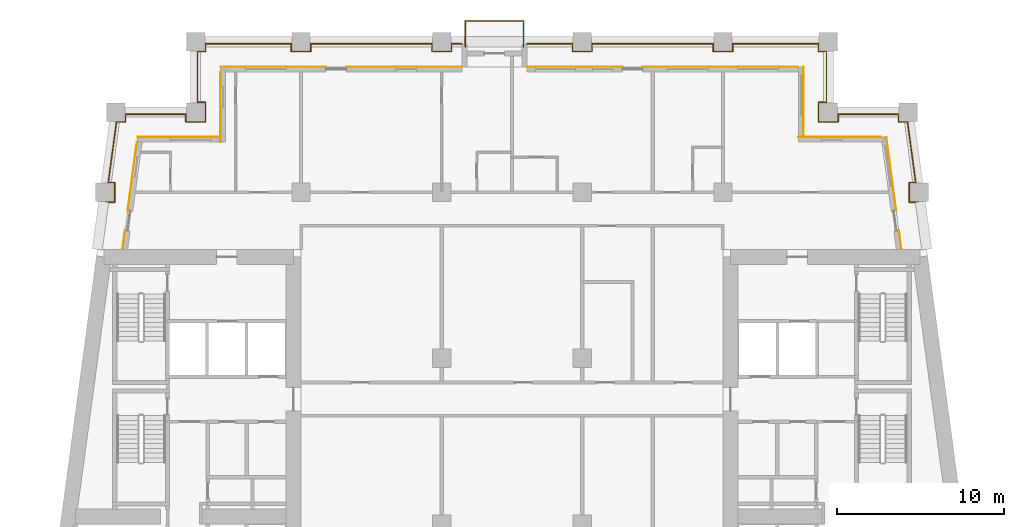
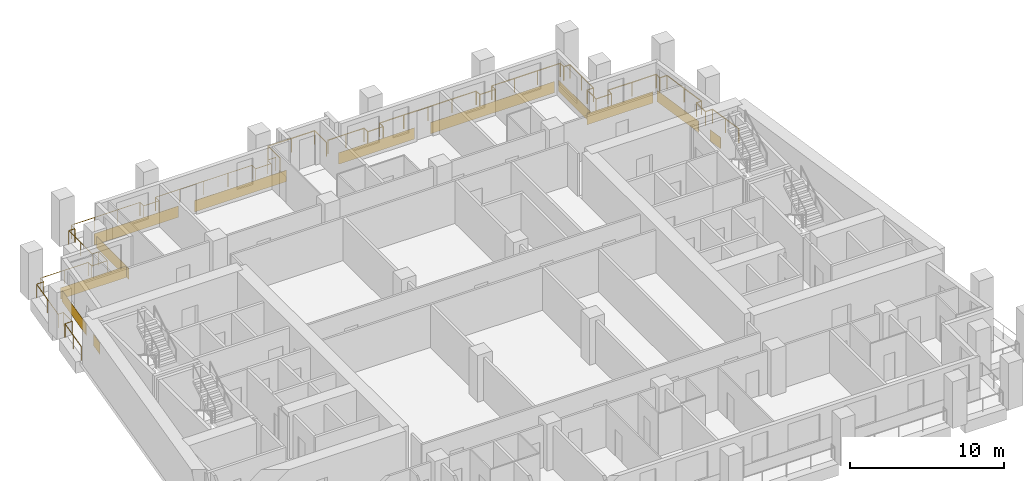
# One storey, part 12 of 13: 12 coverings, 3 railings.
"""IFC4 building model written with IfcOpenShell, lengths in metres."""

import ifcopenshell
import ifcopenshell.guid

model = None  # the IFC model being written
_history = None  # IfcOwnerHistory: only IFC2X3 demands one
_inside = {}  # id of a spatial element -> (the spatial element, [elements in it])
_under = {}  # id of a project, library or spatial element -> (it, [spatial elements below it])
_declared = {}  # id of a project -> (the project, [libraries it declares])
_typed = {}  # id of a type object -> (the type object, [elements of that type])
_made_of = {}  # id of a material, layer set ... -> (it, [elements and type objects made of it])


def new_model(schema):
    """Start an empty IFC model of exactly this schema.

    Asked for "IFC4X3", IfcOpenShell would pick the latest addendum, in which some entities
    have other attributes; the version numbers below select the first issue.
    IFC2X3 requires an IfcOwnerHistory on every rooted entity: one is made here for all.
    """
    global model, _history
    if schema == "IFC4X3":
        model = ifcopenshell.file(schema_version=(4, 3, 0, 0))
    else:
        model = ifcopenshell.file(schema=schema)
    _inside.clear()
    _under.clear()
    _declared.clear()
    _typed.clear()
    _made_of.clear()
    _history = None
    if model.schema == "IFC2X3":
        org = make("IfcOrganization", Name="unknown")
        user = make(
            "IfcPersonAndOrganization",
            ThePerson=make("IfcPerson", FamilyName="unknown"),
            TheOrganization=org,
        )
        app = make(
            "IfcApplication",
            ApplicationDeveloper=org,
            Version="unknown",
            ApplicationFullName="unknown",
            ApplicationIdentifier="unknown",
        )
        _history = make(
            "IfcOwnerHistory",
            OwningUser=user,
            OwningApplication=app,
            ChangeAction="ADDED",
            CreationDate=0,
        )
    return model


def make(cls, **values):
    """One entity of the class cls with the attributes given. An attribute that is None is left unset."""
    return model.create_entity(
        cls, **{name: value for name, value in values.items() if value is not None}
    )


def rooted(cls, **values):
    """An entity with a GlobalId (a new one), such as an element, a storey or a relation."""
    return make(cls, GlobalId=ifcopenshell.guid.new(), OwnerHistory=_history, **values)


def si_unit(unit_type, name, prefix=None):
    """IfcSIUnit, for example si_unit("LENGTHUNIT", "METRE", prefix="MILLI")."""
    return make("IfcSIUnit", UnitType=unit_type, Prefix=prefix, Name=name)


def assignment(units):
    """IfcUnitAssignment: the units of a project."""
    return None if units is None else make("IfcUnitAssignment", Units=units)


def point(xyz):
    """IfcCartesianPoint."""
    return None if xyz is None else make("IfcCartesianPoint", Coordinates=xyz)


def direction(xyz):
    """IfcDirection."""
    return None if xyz is None else make("IfcDirection", DirectionRatios=xyz)


def frame(location, z_axis=None, x_axis=None):
    """IfcAxis2Placement3D, a coordinate frame: its origin and axes. An axis left out is left unset."""
    return make(
        "IfcAxis2Placement3D",
        Location=point(location),
        Axis=direction(z_axis),
        RefDirection=direction(x_axis),
    )


def frame_2d(location, x_axis=None):
    """IfcAxis2Placement2D, a coordinate frame in the plane: its origin and x axis."""
    return make(
        "IfcAxis2Placement2D", Location=point(location), RefDirection=direction(x_axis)
    )


def origin():
    """The frame at (0, 0, 0) with its axes left unset."""
    return frame((0.0, 0.0, 0.0))


def origin_2d():
    """The frame at (0, 0) in the plane with its x axis left unset."""
    return frame_2d((0.0, 0.0))


def place(relative_to, where):
    """IfcLocalPlacement: puts the frame where relative to a parent placement (None: the world)."""
    return make(
        "IfcLocalPlacement", PlacementRelTo=relative_to, RelativePlacement=where
    )


def context(
    kind, dimensions, precision=None, world=None, true_north=None, identifier=None
):
    """IfcGeometricRepresentationContext, for example the 3D "Model" context."""
    return make(
        "IfcGeometricRepresentationContext",
        ContextIdentifier=identifier,
        ContextType=kind,
        CoordinateSpaceDimension=dimensions,
        Precision=precision,
        WorldCoordinateSystem=world,
        TrueNorth=true_north,
    )


def subcontext(parent, identifier, kind, view, scale=None):
    """IfcGeometricRepresentationSubContext, for example "Body" below "Model"."""
    return make(
        "IfcGeometricRepresentationSubContext",
        ContextIdentifier=identifier,
        ContextType=kind,
        ParentContext=parent,
        TargetScale=scale,
        TargetView=view,
    )


def project(units=None, contexts=None):
    """IfcProject with its units and contexts."""
    return rooted(
        "IfcProject",
        Name="project",
        RepresentationContexts=contexts,
        UnitsInContext=assignment(units),
    )


def spatial(cls, under=None, at=None, **own):
    """A site, building, storey or space (cls), placed at a placement, below another one or the project."""
    s = rooted(cls, ObjectPlacement=at, **own)
    if under is not None:
        _under.setdefault(under.id(), (under, []))[1].append(s)
    return s


def profile(cls, at=None, kind="AREA", **sizes):
    """A parametric profile (cls). Its sizes go by their IFC names, for example OverallWidth=200.0."""
    return make(cls, ProfileType=kind, Position=at, **sizes)


def rectangle(**sizes):
    """IfcRectangleProfileDef."""
    return profile("IfcRectangleProfileDef", **sizes)


def circle(**sizes):
    """IfcCircleProfileDef."""
    return profile("IfcCircleProfileDef", **sizes)


def extrude(swept, where, along, depth):
    """IfcExtrudedAreaSolid: the profile swept, set in the frame where, extruded along a direction by depth."""
    return make(
        "IfcExtrudedAreaSolid",
        SweptArea=swept,
        Position=where,
        ExtrudedDirection=direction(along),
        Depth=depth,
    )


def shape(context_of_items, identifier, shape_type, items):
    """IfcShapeRepresentation: the items that make up one representation, for example the "Body"."""
    return make(
        "IfcShapeRepresentation",
        ContextOfItems=context_of_items,
        RepresentationIdentifier=identifier,
        RepresentationType=shape_type,
        Items=items,
    )


def material(Name=None, Category=None):
    """IfcMaterial."""
    return make("IfcMaterial", Name=Name, Category=Category)


def layer(
    of_material, thickness, ventilated=None, Name=None, Category=None, Priority=None
):
    """IfcMaterialLayer: one layer of a wall or slab, of a material (None: an air gap)."""
    return make(
        "IfcMaterialLayer",
        Material=of_material,
        LayerThickness=thickness,
        IsVentilated=ventilated,
        Name=Name,
        Category=Category,
        Priority=Priority,
    )


def layer_set(layers, Name=None):
    """IfcMaterialLayerSet."""
    return make("IfcMaterialLayerSet", MaterialLayers=layers, LayerSetName=Name)


def made_of(thing, what):
    """Note that an element or type object is made of a material, layer set ...; save() writes the relation."""
    if what is not None:
        _made_of.setdefault(what.id(), (what, []))[1].append(thing)
    return thing


def type_object(cls, material=None, **own):
    """A type object (cls), such as IfcWallType, which elements share."""
    return made_of(rooted(cls, **own), material)


def element(
    cls,
    number,
    at=None,
    inside=None,
    cuts=None,
    type_object=None,
    material=None,
    context=None,
    identifier="Body",
    shape_type=None,
    held_by="IfcProductDefinitionShape",
    body=None,
    shapes=None,
    **own,
):
    """One element of the class cls, such as IfcWall. Its Tag is "e" and its number.

    at: its placement. inside: the storey or other place that contains it. cuts: it is an
    opening in that element (IfcRelVoidsElement). A single representation is given by context,
    identifier, shape_type and body (its items); several are given by shapes. held_by: the class
    of the entity that holds the representations. save() writes the other relations.
    """
    e = rooted(cls, Tag="e%d" % number, ObjectPlacement=at, **own)
    if body is not None:
        shapes = [shape(context, identifier, shape_type, body)]
    if shapes is not None:
        e.Representation = make(held_by, Representations=shapes)
    if inside is not None:
        _inside.setdefault(inside.id(), (inside, []))[1].append(e)
    if cuts is not None:
        rooted(
            "IfcRelVoidsElement", RelatingBuildingElement=cuts, RelatedOpeningElement=e
        )
    if type_object is not None:
        _typed.setdefault(type_object.id(), (type_object, []))[1].append(e)
    return made_of(e, material)


def aggregate(whole, parts):
    """IfcRelAggregates: a whole, such as a stair, and the parts it consists of."""
    return rooted("IfcRelAggregates", RelatingObject=whole, RelatedObjects=parts)


def save(model, path):
    """Write the relations noted so far, then the file.

    IfcRelAggregates (storeys below a building ...), IfcRelContainedInSpatialStructure (elements
    in a storey), IfcRelDefinesByType, IfcRelAssociatesMaterial and IfcRelDeclares: one each for
    every whole, place, type object, material and project.
    """
    for whole, parts in _under.values():
        aggregate(whole, parts)
    for where, things in _inside.values():
        rooted(
            "IfcRelContainedInSpatialStructure",
            RelatedElements=things,
            RelatingStructure=where,
        )
    for kind, things in _typed.values():
        rooted("IfcRelDefinesByType", RelatedObjects=things, RelatingType=kind)
    for what, things in _made_of.values():
        rooted("IfcRelAssociatesMaterial", RelatedObjects=things, RelatingMaterial=what)
    for by, libraries in _declared.values():
        rooted("IfcRelDeclares", RelatingContext=by, RelatedDefinitions=libraries)
    model.write(path)


model = new_model("IFC4")

# Units and contexts
model_context = context("Model", 3, precision=1e-05, world=origin(), true_north=direction((0.0, 1.0)))
body_context = subcontext(model_context, "Body", "Model", "MODEL_VIEW")
ifc_project = project(units=[si_unit("LENGTHUNIT", "METRE"), si_unit("AREAUNIT", "SQUARE_METRE"), si_unit("VOLUMEUNIT", "CUBIC_METRE"), si_unit("PLANEANGLEUNIT", "RADIAN"), si_unit("MASSUNIT", "GRAM", prefix="KILO")], contexts=[model_context])

# Site, building, storey
site_placement = place(None, origin())
site = spatial("IfcSite", under=ifc_project, at=site_placement, CompositionType="ELEMENT")
building_placement = place(site_placement, origin())
building = spatial("IfcBuilding", under=site, at=building_placement, Name="Candeia Pilgrim Tower and Theatre", CompositionType="ELEMENT")
storey_placement = place(building_placement, frame((0.0, 0.0, 155.199951171875)))
storey = spatial("IfcBuildingStorey", under=building, at=storey_placement, Name="L36", CompositionType="ELEMENT", Elevation=155.199951171875)

# Railings
ifc_material_1 = material(Name="Stainless steel balustrade", Category="steel")
railing_type = type_object("IfcRailingType", Name="G1 loggia guard 1100", PredefinedType="GUARDRAIL", material=ifc_material_1)
railing_1_placement = place(storey_placement, frame((88.758544921875, 132.449951171875, 0.0)))
element("IfcRailing", 1, at=railing_1_placement, inside=storey, type_object=railing_type, Name="Guard L36.2", PredefinedType="GUARDRAIL", context=body_context, shape_type="SweptSolid", body=[
    extrude(circle(Radius=0.02392578125, at=origin_2d()), frame((0.0, 0.0, 1.076171875), z_axis=(0.133382313969, 0.991064659001, 0.0), x_axis=(-0.991064659001, 0.133382313969, 0.0)), (0.0, 0.0, 1.0), 2.794921875),
    extrude(circle(Radius=0.02392578125, at=origin_2d()), frame((0.372802734375, 2.77001953125, 1.076171875), z_axis=(1.0, 0.0, 0.0), x_axis=(0.0, 1.0, 0.0)), (0.0, 0.0, 1.0), 0.537109375),
    extrude(circle(Radius=0.02392578125, at=origin_2d()), frame((0.909912109375, 2.77001953125, 1.076171875), z_axis=(0.0, 1.0, 0.0), x_axis=(-1.0, 0.0, 0.0)), (0.0, 0.0, 1.0), 1.159912109375),
    extrude(circle(Radius=0.02392578125, at=origin_2d()), frame((0.909912109375, 3.929931640625, 1.076171875), z_axis=(-1.0, 0.0, 0.0), x_axis=(0.0, -1.0, 0.0)), (0.0, 0.0, 1.0), 0.380859375),
    extrude(circle(Radius=0.02392578125, at=origin_2d()), frame((0.529052734375, 3.929931640625, 1.076171875), z_axis=(0.133404479078, 0.99106167566, 0.0), x_axis=(-0.99106167566, 0.133404479078, 0.0)), (0.0, 0.0, 1.0), 3.6728515625),
    extrude(circle(Radius=0.02392578125, at=origin_2d()), frame((1.01904296875, 7.570068359375, 1.076171875), z_axis=(1.0, 0.0, 0.0), x_axis=(0.0, 1.0, 0.0)), (0.0, 0.0, 1.0), 0.537109375),
    extrude(circle(Radius=0.02392578125, at=origin_2d()), frame((1.55615234375, 7.570068359375, 1.076171875), z_axis=(0.0, 1.0, 0.0), x_axis=(-1.0, 0.0, 0.0)), (0.0, 0.0, 1.0), 0.4599609375),
    extrude(circle(Radius=0.02392578125, at=origin_2d()), frame((1.55615234375, 8.030029296875, 1.076171875), z_axis=(1.0, 0.0, 0.0), x_axis=(0.0, 1.0, 0.0)), (0.0, 0.0, 1.0), 3.605224609375),
    extrude(circle(Radius=0.02392578125, at=origin_2d()), frame((5.161376953125, 8.030029296875, 1.076171875), z_axis=(0.0, -1.0, 0.0), x_axis=(1.0, 0.0, 0.0)), (0.0, 0.0, 1.0), 0.4599609375),
    extrude(circle(Radius=0.02392578125, at=origin_2d()), frame((5.161376953125, 7.570068359375, 1.076171875), z_axis=(1.0, 0.0, 0.0), x_axis=(0.0, 1.0, 0.0)), (0.0, 0.0, 1.0), 1.16015625),
    extrude(circle(Radius=0.02392578125, at=origin_2d()), frame((6.321533203125, 7.570068359375, 1.076171875), z_axis=(0.0, 1.0, 0.0), x_axis=(-1.0, 0.0, 0.0)), (0.0, 0.0, 1.0), 1.159912109375),
    extrude(circle(Radius=0.02392578125, at=origin_2d()), frame((6.321533203125, 8.72998046875, 1.076171875), z_axis=(-1.0, 0.0, 0.0), x_axis=(0.0, -1.0, 0.0)), (0.0, 0.0, 1.0), 0.4599609375),
    extrude(circle(Radius=0.02392578125, at=origin_2d()), frame((5.861572265625, 8.72998046875, 1.076171875), z_axis=(0.0, 1.0, 0.0), x_axis=(-1.0, 0.0, 0.0)), (0.0, 0.0, 1.0), 3.0400390625),
    extrude(circle(Radius=0.02392578125, at=origin_2d()), frame((5.861572265625, 11.77001953125, 1.076171875), z_axis=(1.0, 0.0, 0.0), x_axis=(0.0, 1.0, 0.0)), (0.0, 0.0, 1.0), 0.4599609375),
    extrude(circle(Radius=0.02392578125, at=origin_2d()), frame((6.321533203125, 11.77001953125, 1.076171875), z_axis=(0.0, 1.0, 0.0), x_axis=(-1.0, 0.0, 0.0)), (0.0, 0.0, 1.0), 0.4599609375),
    extrude(circle(Radius=0.02392578125, at=origin_2d()), frame((6.321533203125, 12.22998046875, 1.076171875), z_axis=(1.0, 0.0, 0.0), x_axis=(0.0, 1.0, 0.0)), (0.0, 0.0, 1.0), 5.139892578125),
    extrude(circle(Radius=0.02392578125, at=origin_2d()), frame((11.46142578125, 12.22998046875, 1.076171875), z_axis=(0.0, -1.0, 0.0), x_axis=(1.0, 0.0, 0.0)), (0.0, 0.0, 1.0), 0.4599609375),
    extrude(circle(Radius=0.02392578125, at=origin_2d()), frame((11.46142578125, 11.77001953125, 1.076171875), z_axis=(1.0, 0.0, 0.0), x_axis=(0.0, 1.0, 0.0)), (0.0, 0.0, 1.0), 1.159912109375),
    extrude(circle(Radius=0.02392578125, at=origin_2d()), frame((12.621337890625, 11.77001953125, 1.076171875), z_axis=(0.0, 1.0, 0.0), x_axis=(-1.0, 0.0, 0.0)), (0.0, 0.0, 1.0), 0.4599609375),
    extrude(circle(Radius=0.02392578125, at=origin_2d()), frame((12.621337890625, 12.22998046875, 1.076171875), z_axis=(1.0, 0.0, 0.0), x_axis=(0.0, 1.0, 0.0)), (0.0, 0.0, 1.0), 7.240234375),
    extrude(circle(Radius=0.02392578125, at=origin_2d()), frame((19.861572265625, 12.22998046875, 1.076171875), z_axis=(0.0, -1.0, 0.0), x_axis=(1.0, 0.0, 0.0)), (0.0, 0.0, 1.0), 0.4599609375),
    extrude(circle(Radius=0.02392578125, at=origin_2d()), frame((19.861572265625, 11.77001953125, 1.076171875), z_axis=(1.0, 0.0, 0.0), x_axis=(0.0, 1.0, 0.0)), (0.0, 0.0, 1.0), 1.159912109375),
    extrude(circle(Radius=0.02392578125, at=origin_2d()), frame((21.021484375, 11.77001953125, 1.076171875), z_axis=(0.0, 1.0, 0.0), x_axis=(-1.0, 0.0, 0.0)), (0.0, 0.0, 1.0), 0.4599609375),
    extrude(circle(Radius=0.02392578125, at=origin_2d()), frame((21.021484375, 12.22998046875, 1.076171875), z_axis=(1.0, 0.0, 0.0), x_axis=(0.0, 1.0, 0.0)), (0.0, 0.0, 1.0), 0.619873046875),
    extrude(circle(Radius=0.02099609375, at=origin_2d()), origin(), (0.0, 0.0, 1.0), 1.052001953125),
    extrude(circle(Radius=0.02099609375, at=origin_2d()), frame((0.1865234375, 1.385009765625, 0.0)), (0.0, 0.0, 1.0), 1.052001953125),
    extrude(circle(Radius=0.02099609375, at=origin_2d()), frame((0.372802734375, 2.77001953125, 0.0)), (0.0, 0.0, 1.0), 1.052001953125),
    extrude(circle(Radius=0.02099609375, at=origin_2d()), frame((0.909912109375, 2.77001953125, 0.0)), (0.0, 0.0, 1.0), 1.052001953125),
    extrude(circle(Radius=0.02099609375, at=origin_2d()), frame((0.909912109375, 3.929931640625, 0.0)), (0.0, 0.0, 1.0), 1.052001953125),
    extrude(circle(Radius=0.02099609375, at=origin_2d()), frame((0.529052734375, 3.929931640625, 0.0)), (0.0, 0.0, 1.0), 1.052001953125),
    extrude(circle(Radius=0.02099609375, at=origin_2d()), frame((0.77392578125, 5.75, 0.0)), (0.0, 0.0, 1.0), 1.052001953125),
    extrude(circle(Radius=0.02099609375, at=origin_2d()), frame((1.01904296875, 7.570068359375, 0.0)), (0.0, 0.0, 1.0), 1.052001953125),
    extrude(circle(Radius=0.02099609375, at=origin_2d()), frame((1.55615234375, 7.570068359375, 0.0)), (0.0, 0.0, 1.0), 1.052001953125),
    extrude(circle(Radius=0.02099609375, at=origin_2d()), frame((1.55615234375, 8.030029296875, 0.0)), (0.0, 0.0, 1.0), 1.052001953125),
    extrude(circle(Radius=0.02099609375, at=origin_2d()), frame((3.35888671875, 8.030029296875, 0.0)), (0.0, 0.0, 1.0), 1.052001953125),
    extrude(circle(Radius=0.02099609375, at=origin_2d()), frame((5.161376953125, 8.030029296875, 0.0)), (0.0, 0.0, 1.0), 1.052001953125),
    extrude(circle(Radius=0.02099609375, at=origin_2d()), frame((5.161376953125, 7.570068359375, 0.0)), (0.0, 0.0, 1.0), 1.052001953125),
    extrude(circle(Radius=0.02099609375, at=origin_2d()), frame((6.321533203125, 7.570068359375, 0.0)), (0.0, 0.0, 1.0), 1.052001953125),
    extrude(circle(Radius=0.02099609375, at=origin_2d()), frame((6.321533203125, 8.72998046875, 0.0)), (0.0, 0.0, 1.0), 1.052001953125),
    extrude(circle(Radius=0.02099609375, at=origin_2d()), frame((5.861572265625, 8.72998046875, 0.0)), (0.0, 0.0, 1.0), 1.052001953125),
    extrude(circle(Radius=0.02099609375, at=origin_2d()), frame((5.861572265625, 10.25, 0.0)), (0.0, 0.0, 1.0), 1.052001953125),
    extrude(circle(Radius=0.02099609375, at=origin_2d()), frame((5.861572265625, 11.77001953125, 0.0)), (0.0, 0.0, 1.0), 1.052001953125),
    extrude(circle(Radius=0.02099609375, at=origin_2d()), frame((6.321533203125, 11.77001953125, 0.0)), (0.0, 0.0, 1.0), 1.052001953125),
    extrude(circle(Radius=0.02099609375, at=origin_2d()), frame((6.321533203125, 12.22998046875, 0.0)), (0.0, 0.0, 1.0), 1.052001953125),
    extrude(circle(Radius=0.02099609375, at=origin_2d()), frame((8.034912109375, 12.22998046875, 0.0)), (0.0, 0.0, 1.0), 1.052001953125),
    extrude(circle(Radius=0.02099609375, at=origin_2d()), frame((9.748046875, 12.22998046875, 0.0)), (0.0, 0.0, 1.0), 1.052001953125),
    extrude(circle(Radius=0.02099609375, at=origin_2d()), frame((11.46142578125, 12.22998046875, 0.0)), (0.0, 0.0, 1.0), 1.052001953125),
    extrude(circle(Radius=0.02099609375, at=origin_2d()), frame((11.46142578125, 11.77001953125, 0.0)), (0.0, 0.0, 1.0), 1.052001953125),
    extrude(circle(Radius=0.02099609375, at=origin_2d()), frame((12.621337890625, 11.77001953125, 0.0)), (0.0, 0.0, 1.0), 1.052001953125),
    extrude(circle(Radius=0.02099609375, at=origin_2d()), frame((12.621337890625, 12.22998046875, 0.0)), (0.0, 0.0, 1.0), 1.052001953125),
    extrude(circle(Radius=0.02099609375, at=origin_2d()), frame((14.431396484375, 12.22998046875, 0.0)), (0.0, 0.0, 1.0), 1.052001953125),
    extrude(circle(Radius=0.02099609375, at=origin_2d()), frame((16.241455078125, 12.22998046875, 0.0)), (0.0, 0.0, 1.0), 1.052001953125),
    extrude(circle(Radius=0.02099609375, at=origin_2d()), frame((18.051513671875, 12.22998046875, 0.0)), (0.0, 0.0, 1.0), 1.052001953125),
    extrude(circle(Radius=0.02099609375, at=origin_2d()), frame((19.861572265625, 12.22998046875, 0.0)), (0.0, 0.0, 1.0), 1.052001953125),
    extrude(circle(Radius=0.02099609375, at=origin_2d()), frame((19.861572265625, 11.77001953125, 0.0)), (0.0, 0.0, 1.0), 1.052001953125),
    extrude(circle(Radius=0.02099609375, at=origin_2d()), frame((21.021484375, 11.77001953125, 0.0)), (0.0, 0.0, 1.0), 1.052001953125),
    extrude(circle(Radius=0.02099609375, at=origin_2d()), frame((21.021484375, 12.22998046875, 0.0)), (0.0, 0.0, 1.0), 1.052001953125),
    extrude(circle(Radius=0.02099609375, at=origin_2d()), frame((21.641357421875, 12.22998046875, 0.0)), (0.0, 0.0, 1.0), 1.052001953125),
])
railing_2_placement = place(storey_placement, frame((114.300048828125, 144.679931640625, 0.0)))
element("IfcRailing", 2, at=railing_2_placement, inside=storey, type_object=railing_type, Name="Guard L36.3", PredefinedType="GUARDRAIL", context=body_context, shape_type="SweptSolid", body=[
    extrude(circle(Radius=0.02392578125, at=origin_2d()), frame((0.0, 0.0, 1.076171875), z_axis=(1.0, 0.0, 0.0), x_axis=(0.0, 1.0, 0.0)), (0.0, 0.0, 1.0), 2.719970703125),
    extrude(circle(Radius=0.02392578125, at=origin_2d()), frame((2.719970703125, 0.0, 1.076171875), z_axis=(0.0, -1.0, 0.0), x_axis=(1.0, 0.0, 0.0)), (0.0, 0.0, 1.0), 0.4599609375),
    extrude(circle(Radius=0.02392578125, at=origin_2d()), frame((2.719970703125, -0.4599609375, 1.076171875), z_axis=(1.0, 0.0, 0.0), x_axis=(0.0, 1.0, 0.0)), (0.0, 0.0, 1.0), 1.159912109375),
    extrude(circle(Radius=0.02392578125, at=origin_2d()), frame((3.8798828125, -0.4599609375, 1.076171875), z_axis=(0.0, 1.0, 0.0), x_axis=(-1.0, 0.0, 0.0)), (0.0, 0.0, 1.0), 0.4599609375),
    extrude(circle(Radius=0.02392578125, at=origin_2d()), frame((3.8798828125, 0.0, 1.076171875), z_axis=(1.0, 0.0, 0.0), x_axis=(0.0, 1.0, 0.0)), (0.0, 0.0, 1.0), 7.239990234375),
    extrude(circle(Radius=0.02392578125, at=origin_2d()), frame((11.119873046875, 0.0, 1.076171875), z_axis=(0.0, -1.0, 0.0), x_axis=(1.0, 0.0, 0.0)), (0.0, 0.0, 1.0), 0.4599609375),
    extrude(circle(Radius=0.02392578125, at=origin_2d()), frame((11.119873046875, -0.4599609375, 1.076171875), z_axis=(1.0, 0.0, 0.0), x_axis=(0.0, 1.0, 0.0)), (0.0, 0.0, 1.0), 1.16015625),
    extrude(circle(Radius=0.02392578125, at=origin_2d()), frame((12.280029296875, -0.4599609375, 1.076171875), z_axis=(0.0, 1.0, 0.0), x_axis=(-1.0, 0.0, 0.0)), (0.0, 0.0, 1.0), 0.4599609375),
    extrude(circle(Radius=0.02392578125, at=origin_2d()), frame((12.280029296875, 0.0, 1.076171875), z_axis=(1.0, 0.0, 0.0), x_axis=(0.0, 1.0, 0.0)), (0.0, 0.0, 1.0), 5.139892578125),
    extrude(circle(Radius=0.02392578125, at=origin_2d()), frame((17.419921875, 0.0, 1.076171875), z_axis=(0.0, -1.0, 0.0), x_axis=(1.0, 0.0, 0.0)), (0.0, 0.0, 1.0), 0.4599609375),
    extrude(circle(Radius=0.02392578125, at=origin_2d()), frame((17.419921875, -0.4599609375, 1.076171875), z_axis=(1.0, 0.0, 0.0), x_axis=(0.0, 1.0, 0.0)), (0.0, 0.0, 1.0), 0.4599609375),
    extrude(circle(Radius=0.02392578125, at=origin_2d()), frame((17.8798828125, -0.4599609375, 1.076171875), z_axis=(0.0, -1.0, 0.0), x_axis=(1.0, 0.0, 0.0)), (0.0, 0.0, 1.0), 3.0400390625),
    extrude(circle(Radius=0.02392578125, at=origin_2d()), frame((17.8798828125, -3.5, 1.076171875), z_axis=(-1.0, 0.0, 0.0), x_axis=(0.0, -1.0, 0.0)), (0.0, 0.0, 1.0), 0.4599609375),
    extrude(circle(Radius=0.02392578125, at=origin_2d()), frame((17.419921875, -3.5, 1.076171875), z_axis=(0.0, -1.0, 0.0), x_axis=(1.0, 0.0, 0.0)), (0.0, 0.0, 1.0), 1.159912109375),
    extrude(circle(Radius=0.02392578125, at=origin_2d()), frame((17.419921875, -4.659912109375, 1.076171875), z_axis=(1.0, 0.0, 0.0), x_axis=(0.0, 1.0, 0.0)), (0.0, 0.0, 1.0), 1.159912109375),
    extrude(circle(Radius=0.02392578125, at=origin_2d()), frame((18.579833984375, -4.659912109375, 1.076171875), z_axis=(0.0, 1.0, 0.0), x_axis=(-1.0, 0.0, 0.0)), (0.0, 0.0, 1.0), 0.4599609375),
    extrude(circle(Radius=0.02392578125, at=origin_2d()), frame((18.579833984375, -4.199951171875, 1.076171875), z_axis=(1.0, 0.0, 0.0), x_axis=(0.0, 1.0, 0.0)), (0.0, 0.0, 1.0), 3.60546875),
    extrude(circle(Radius=0.02392578125, at=origin_2d()), frame((22.185302734375, -4.199951171875, 1.076171875), z_axis=(0.0, -1.0, 0.0), x_axis=(1.0, 0.0, 0.0)), (0.0, 0.0, 1.0), 0.4599609375),
    extrude(circle(Radius=0.02392578125, at=origin_2d()), frame((22.185302734375, -4.659912109375, 1.076171875), z_axis=(1.0, 0.0, 0.0), x_axis=(0.0, 1.0, 0.0)), (0.0, 0.0, 1.0), 0.537109375),
    extrude(circle(Radius=0.02392578125, at=origin_2d()), frame((22.722412109375, -4.659912109375, 1.076171875), z_axis=(0.133404479078, -0.99106167566, 0.0), x_axis=(0.99106167566, 0.133404479078, 0.0)), (0.0, 0.0, 1.0), 3.6728515625),
    extrude(circle(Radius=0.02392578125, at=origin_2d()), frame((23.21240234375, -8.300048828125, 1.076171875), z_axis=(-1.0, 0.0, 0.0), x_axis=(0.0, -1.0, 0.0)), (0.0, 0.0, 1.0), 0.380859375),
    extrude(circle(Radius=0.02392578125, at=origin_2d()), frame((22.83154296875, -8.300048828125, 1.076171875), z_axis=(0.0, -1.0, 0.0), x_axis=(1.0, 0.0, 0.0)), (0.0, 0.0, 1.0), 1.159912109375),
    extrude(circle(Radius=0.02392578125, at=origin_2d()), frame((22.83154296875, -9.4599609375, 1.076171875), z_axis=(1.0, 0.0, 0.0), x_axis=(0.0, 1.0, 0.0)), (0.0, 0.0, 1.0), 0.536865234375),
    extrude(circle(Radius=0.02392578125, at=origin_2d()), frame((23.368408203125, -9.4599609375, 1.076171875), z_axis=(0.133468107709, -0.99105310868, 0.0), x_axis=(0.99105310868, 0.133468107709, 0.0)), (0.0, 0.0, 1.0), 2.794921875),
    extrude(circle(Radius=0.02099609375, at=origin_2d()), origin(), (0.0, 0.0, 1.0), 1.052001953125),
    extrude(circle(Radius=0.02099609375, at=origin_2d()), frame((1.35986328125, 0.0, 0.0)), (0.0, 0.0, 1.0), 1.052001953125),
    extrude(circle(Radius=0.02099609375, at=origin_2d()), frame((2.719970703125, 0.0, 0.0)), (0.0, 0.0, 1.0), 1.052001953125),
    extrude(circle(Radius=0.02099609375, at=origin_2d()), frame((2.719970703125, -0.4599609375, 0.0)), (0.0, 0.0, 1.0), 1.052001953125),
    extrude(circle(Radius=0.02099609375, at=origin_2d()), frame((3.8798828125, -0.4599609375, 0.0)), (0.0, 0.0, 1.0), 1.052001953125),
    extrude(circle(Radius=0.02099609375, at=origin_2d()), frame((3.8798828125, 0.0, 0.0)), (0.0, 0.0, 1.0), 1.052001953125),
    extrude(circle(Radius=0.02099609375, at=origin_2d()), frame((5.68994140625, 0.0, 0.0)), (0.0, 0.0, 1.0), 1.052001953125),
    extrude(circle(Radius=0.02099609375, at=origin_2d()), frame((7.5, 0.0, 0.0)), (0.0, 0.0, 1.0), 1.052001953125),
    extrude(circle(Radius=0.02099609375, at=origin_2d()), frame((9.309814453125, 0.0, 0.0)), (0.0, 0.0, 1.0), 1.052001953125),
    extrude(circle(Radius=0.02099609375, at=origin_2d()), frame((11.119873046875, 0.0, 0.0)), (0.0, 0.0, 1.0), 1.052001953125),
    extrude(circle(Radius=0.02099609375, at=origin_2d()), frame((11.119873046875, -0.4599609375, 0.0)), (0.0, 0.0, 1.0), 1.052001953125),
    extrude(circle(Radius=0.02099609375, at=origin_2d()), frame((12.280029296875, -0.4599609375, 0.0)), (0.0, 0.0, 1.0), 1.052001953125),
    extrude(circle(Radius=0.02099609375, at=origin_2d()), frame((12.280029296875, 0.0, 0.0)), (0.0, 0.0, 1.0), 1.052001953125),
    extrude(circle(Radius=0.02099609375, at=origin_2d()), frame((13.993408203125, 0.0, 0.0)), (0.0, 0.0, 1.0), 1.052001953125),
    extrude(circle(Radius=0.02099609375, at=origin_2d()), frame((15.70654296875, 0.0, 0.0)), (0.0, 0.0, 1.0), 1.052001953125),
    extrude(circle(Radius=0.02099609375, at=origin_2d()), frame((17.419921875, 0.0, 0.0)), (0.0, 0.0, 1.0), 1.052001953125),
    extrude(circle(Radius=0.02099609375, at=origin_2d()), frame((17.419921875, -0.4599609375, 0.0)), (0.0, 0.0, 1.0), 1.052001953125),
    extrude(circle(Radius=0.02099609375, at=origin_2d()), frame((17.8798828125, -0.4599609375, 0.0)), (0.0, 0.0, 1.0), 1.052001953125),
    extrude(circle(Radius=0.02099609375, at=origin_2d()), frame((17.8798828125, -1.97998046875, 0.0)), (0.0, 0.0, 1.0), 1.052001953125),
    extrude(circle(Radius=0.02099609375, at=origin_2d()), frame((17.8798828125, -3.5, 0.0)), (0.0, 0.0, 1.0), 1.052001953125),
    extrude(circle(Radius=0.02099609375, at=origin_2d()), frame((17.419921875, -3.5, 0.0)), (0.0, 0.0, 1.0), 1.052001953125),
    extrude(circle(Radius=0.02099609375, at=origin_2d()), frame((17.419921875, -4.659912109375, 0.0)), (0.0, 0.0, 1.0), 1.052001953125),
    extrude(circle(Radius=0.02099609375, at=origin_2d()), frame((18.579833984375, -4.659912109375, 0.0)), (0.0, 0.0, 1.0), 1.052001953125),
    extrude(circle(Radius=0.02099609375, at=origin_2d()), frame((18.579833984375, -4.199951171875, 0.0)), (0.0, 0.0, 1.0), 1.052001953125),
    extrude(circle(Radius=0.02099609375, at=origin_2d()), frame((20.382568359375, -4.199951171875, 0.0)), (0.0, 0.0, 1.0), 1.052001953125),
    extrude(circle(Radius=0.02099609375, at=origin_2d()), frame((22.185302734375, -4.199951171875, 0.0)), (0.0, 0.0, 1.0), 1.052001953125),
    extrude(circle(Radius=0.02099609375, at=origin_2d()), frame((22.185302734375, -4.659912109375, 0.0)), (0.0, 0.0, 1.0), 1.052001953125),
    extrude(circle(Radius=0.02099609375, at=origin_2d()), frame((22.722412109375, -4.659912109375, 0.0)), (0.0, 0.0, 1.0), 1.052001953125),
    extrude(circle(Radius=0.02099609375, at=origin_2d()), frame((22.96728515625, -6.47998046875, 0.0)), (0.0, 0.0, 1.0), 1.052001953125),
    extrude(circle(Radius=0.02099609375, at=origin_2d()), frame((23.21240234375, -8.300048828125, 0.0)), (0.0, 0.0, 1.0), 1.052001953125),
    extrude(circle(Radius=0.02099609375, at=origin_2d()), frame((22.83154296875, -8.300048828125, 0.0)), (0.0, 0.0, 1.0), 1.052001953125),
    extrude(circle(Radius=0.02099609375, at=origin_2d()), frame((22.83154296875, -9.4599609375, 0.0)), (0.0, 0.0, 1.0), 1.052001953125),
    extrude(circle(Radius=0.02099609375, at=origin_2d()), frame((23.368408203125, -9.4599609375, 0.0)), (0.0, 0.0, 1.0), 1.052001953125),
    extrude(circle(Radius=0.02099609375, at=origin_2d()), frame((23.554931640625, -10.844970703125, 0.0)), (0.0, 0.0, 1.0), 1.052001953125),
    extrude(circle(Radius=0.02099609375, at=origin_2d()), frame((23.741455078125, -12.22998046875, 0.0)), (0.0, 0.0, 1.0), 1.052001953125),
])
railing_3_placement = place(storey_placement, frame((110.610107421875, 144.5, 0.0)))
element("IfcRailing", 3, at=railing_3_placement, inside=storey, type_object=railing_type, Name="Balcony guard L36", PredefinedType="GUARDRAIL", context=body_context, shape_type="SweptSolid", body=[
    extrude(circle(Radius=0.02392578125, at=origin_2d()), frame((0.0, 0.0, 1.076171875), z_axis=(0.0, 1.0, 0.0), x_axis=(-1.0, 0.0, 0.0)), (0.0, 0.0, 1.0), 1.5400390625),
    extrude(circle(Radius=0.02392578125, at=origin_2d()), frame((0.0, 1.5400390625, 1.076171875), z_axis=(1.0, 0.0, 0.0), x_axis=(0.0, 1.0, 0.0)), (0.0, 0.0, 1.0), 3.47998046875),
    extrude(circle(Radius=0.02392578125, at=origin_2d()), frame((3.47998046875, 1.5400390625, 1.076171875), z_axis=(0.0, -1.0, 0.0), x_axis=(1.0, 0.0, 0.0)), (0.0, 0.0, 1.0), 1.5400390625),
    extrude(circle(Radius=0.02099609375, at=origin_2d()), origin(), (0.0, 0.0, 1.0), 1.052001953125),
    extrude(circle(Radius=0.02099609375, at=origin_2d()), frame((0.0, 1.5400390625, 0.0)), (0.0, 0.0, 1.0), 1.052001953125),
    extrude(circle(Radius=0.02099609375, at=origin_2d()), frame((1.739990234375, 1.5400390625, 0.0)), (0.0, 0.0, 1.0), 1.052001953125),
    extrude(circle(Radius=0.02099609375, at=origin_2d()), frame((3.47998046875, 1.5400390625, 0.0)), (0.0, 0.0, 1.0), 1.052001953125),
    extrude(circle(Radius=0.02099609375, at=origin_2d()), frame((3.47998046875, 0.0, 0.0)), (0.0, 0.0, 1.0), 1.052001953125),
])

# Coverings
ifc_material_2 = material(Name="Glazed ceramic tile rust")
ifc_layer = layer(ifc_material_2, 0.02001953125)
ifc_layer_set = layer_set([ifc_layer], Name="Glazed ceramic tile rust")
covering_type = type_object("IfcCoveringType", Name="Glazed ceramic tile rust", PredefinedType="CLADDING", material=ifc_layer_set)
covering_1_placement = place(storey_placement, frame((136.588623046875, 132.97412109375, 0.0), z_axis=(0.0, 0.0, 1.0), x_axis=(-0.133412012145, 0.991060661622, 0.0)))
element("IfcCovering", 4, at=covering_1_placement, inside=storey, type_object=covering_type, Name="Tile cladding rust L36", PredefinedType="CLADDING", context=body_context, shape_type="SweptSolid", body=[
    extrude(rectangle(XDim=1.115234375, YDim=0.02001953125, at=origin_2d()), origin(), (0.0, 0.0, 1.0), 0.89990234375),
])
covering_2_placement = place(storey_placement, frame((136.058837890625, 136.90869140625, 0.0), z_axis=(0.0, 0.0, 1.0), x_axis=(-0.133412012145, 0.991060661622, 0.0)))
element("IfcCovering", 5, at=covering_2_placement, inside=storey, type_object=covering_type, Name="Tile cladding rust L36", PredefinedType="CLADDING", context=body_context, shape_type="SweptSolid", body=[
    extrude(rectangle(XDim=4.4248046875, YDim=0.02001953125, at=origin_2d()), origin(), (0.0, 0.0, 1.0), 0.89990234375),
])
covering_3_placement = place(storey_placement, frame((132.976318359375, 139.110107421875, 0.0), z_axis=(0.0, 0.0, 1.0), x_axis=(-1.0, 0.0, 0.0)))
element("IfcCovering", 6, at=covering_3_placement, inside=storey, type_object=covering_type, Name="Tile cladding rust L36", PredefinedType="CLADDING", context=body_context, shape_type="SweptSolid", body=[
    extrude(rectangle(XDim=4.95263671875, YDim=0.02001953125, at=origin_2d()), origin(), (0.0, 0.0, 1.0), 0.89990234375),
])
covering_4_placement = place(storey_placement, frame((130.81005859375, 141.2099609375, 0.0), z_axis=(0.0, 0.0, 1.0), x_axis=(0.0, 1.0, 0.0)))
element("IfcCovering", 7, at=covering_4_placement, inside=storey, type_object=covering_type, Name="Tile cladding rust L36", PredefinedType="CLADDING", context=body_context, shape_type="SweptSolid", body=[
    extrude(rectangle(XDim=4.179931640625, YDim=0.02001953125, at=origin_2d()), origin(), (0.0, 0.0, 1.0), 0.89990234375),
])
covering_5_placement = place(storey_placement, frame((125.840087890625, 143.31005859375, 0.0), z_axis=(0.0, 0.0, 1.0), x_axis=(-1.0, 0.0, 0.0)))
element("IfcCovering", 8, at=covering_5_placement, inside=storey, type_object=covering_type, Name="Tile cladding rust L36", PredefinedType="CLADDING", context=body_context, shape_type="SweptSolid", body=[
    extrude(rectangle(XDim=9.280029296875, YDim=0.02001953125, at=origin_2d()), origin(), (0.0, 0.0, 1.0), 0.89990234375),
])
covering_6_placement = place(storey_placement, frame((117.14990234375, 143.31005859375, 0.0), z_axis=(0.0, 0.0, 1.0), x_axis=(-1.0, 0.0, 0.0)))
element("IfcCovering", 9, at=covering_6_placement, inside=storey, type_object=covering_type, Name="Tile cladding rust L36", PredefinedType="CLADDING", context=body_context, shape_type="SweptSolid", body=[
    extrude(rectangle(XDim=5.699951171875, YDim=0.02001953125, at=origin_2d()), origin(), (0.0, 0.0, 1.0), 0.89990234375),
])
covering_7_placement = place(storey_placement, frame((106.949951171875, 143.31005859375, 0.0), z_axis=(0.0, 0.0, 1.0), x_axis=(-1.0, 0.0, 0.0)))
element("IfcCovering", 10, at=covering_7_placement, inside=storey, type_object=covering_type, Name="Tile cladding rust L36", PredefinedType="CLADDING", context=body_context, shape_type="SweptSolid", body=[
    extrude(rectangle(XDim=6.89990234375, YDim=0.02001953125, at=origin_2d()), origin(), (0.0, 0.0, 1.0), 0.89990234375),
])
covering_8_placement = place(storey_placement, frame((99.14990234375, 143.31005859375, 0.0), z_axis=(0.0, 0.0, 1.0), x_axis=(-1.0, 0.0, 0.0)))
element("IfcCovering", 11, at=covering_8_placement, inside=storey, type_object=covering_type, Name="Tile cladding rust L36", PredefinedType="CLADDING", context=body_context, shape_type="SweptSolid", body=[
    extrude(rectangle(XDim=6.300048828125, YDim=0.02001953125, at=origin_2d()), origin(), (0.0, 0.0, 1.0), 0.89990234375),
])
covering_9_placement = place(storey_placement, frame((95.989990234375, 140.889892578125, 0.0), z_axis=(0.0, 0.0, 1.0), x_axis=(0.0, -1.0, 0.0)))
element("IfcCovering", 12, at=covering_9_placement, inside=storey, type_object=covering_type, Name="Tile cladding rust L36", PredefinedType="CLADDING", context=body_context, shape_type="SweptSolid", body=[
    extrude(rectangle(XDim=4.179931640625, YDim=0.02001953125, at=origin_2d()), origin(), (0.0, 0.0, 1.0), 0.89990234375),
])
covering_10_placement = place(storey_placement, frame((93.51318359375, 139.110107421875, 0.0), z_axis=(0.0, 0.0, 1.0), x_axis=(-1.0, 0.0, 0.0)))
element("IfcCovering", 13, at=covering_10_placement, inside=storey, type_object=covering_type, Name="Tile cladding rust L36", PredefinedType="CLADDING", context=body_context, shape_type="SweptSolid", body=[
    extrude(rectangle(XDim=4.933837890625, YDim=0.02001953125, at=origin_2d()), origin(), (0.0, 0.0, 1.0), 0.89990234375),
])
covering_11_placement = place(storey_placement, frame((90.720947265625, 136.759521484375, 0.0), z_axis=(0.0, 0.0, 1.0), x_axis=(-0.133412012145, -0.991060661622, 0.0)))
element("IfcCovering", 14, at=covering_11_placement, inside=storey, type_object=covering_type, Name="Tile cladding rust L36", PredefinedType="CLADDING", context=body_context, shape_type="SweptSolid", body=[
    extrude(rectangle(XDim=4.123779296875, YDim=0.02001953125, at=origin_2d()), origin(), (0.0, 0.0, 1.0), 0.89990234375),
])
covering_12_placement = place(storey_placement, frame((90.21142578125, 132.97412109375, 0.0), z_axis=(0.0, 0.0, 1.0), x_axis=(-0.133412012145, -0.991060661622, 0.0)))
element("IfcCovering", 15, at=covering_12_placement, inside=storey, type_object=covering_type, Name="Tile cladding rust L36", PredefinedType="CLADDING", context=body_context, shape_type="SweptSolid", body=[
    extrude(rectangle(XDim=1.115234375, YDim=0.02001953125, at=origin_2d()), origin(), (0.0, 0.0, 1.0), 0.89990234375),
])

save(model, "model.ifc")
